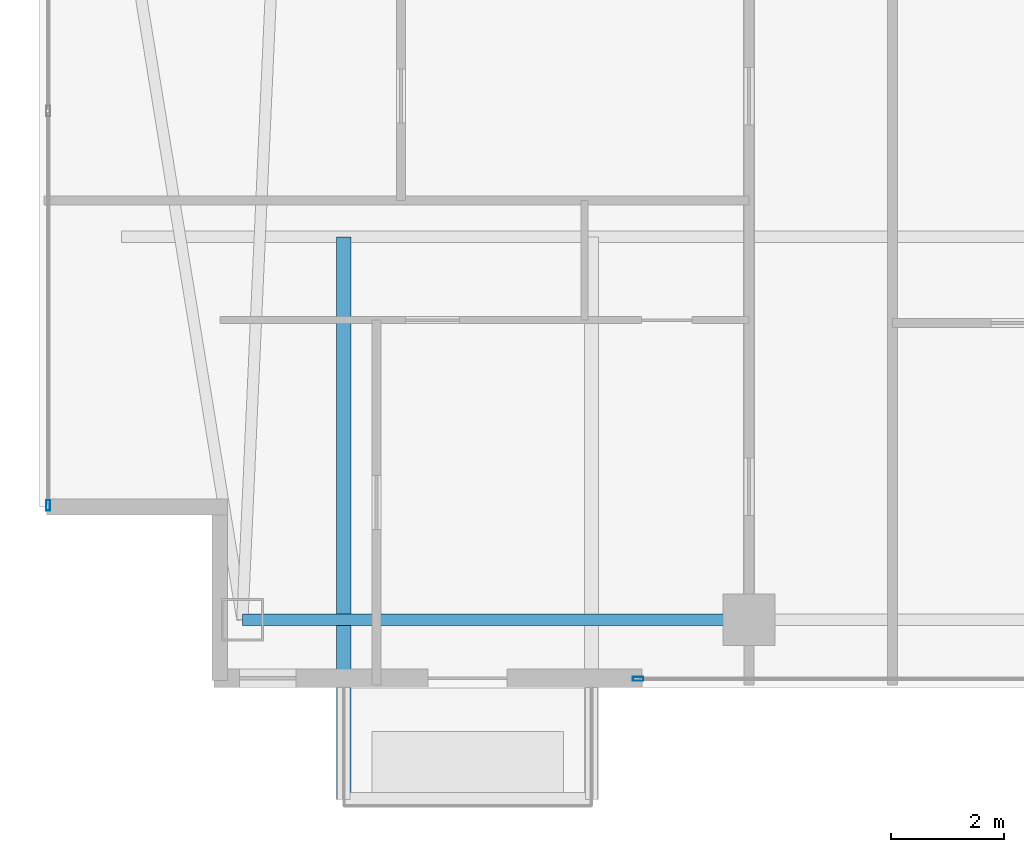
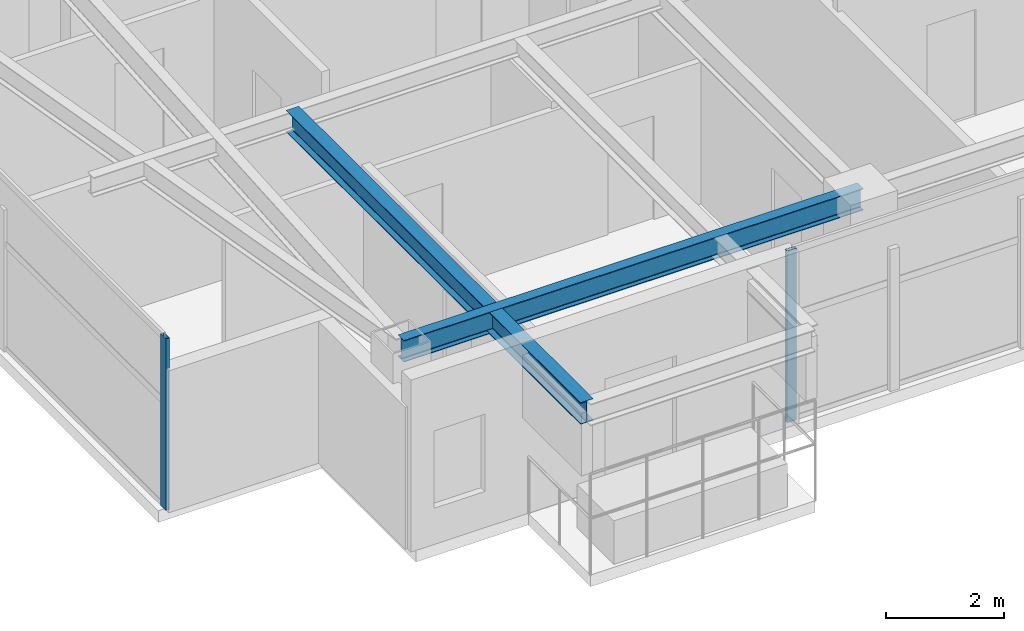
# One storey, part 2 of 29: 2 beams, 2 members, 2 elements without a shape of their own.
"""IFC4 building model written with IfcOpenShell, lengths in metres."""

from ifc_helpers import new_model, si_unit, direction, frame, origin, origin_2d, place, context, subcontext, project, spatial, hollow_rectangle, i_section, extrude, material, layer, layer_set, material_profile, profile_set, type_object, element, aggregate, save


model = new_model("IFC4")

# Units and contexts
model_context = context("Model", 3, precision=1e-05, world=origin(), true_north=direction((0.0, 1.0)))
body_context = subcontext(model_context, "Body", "Model", "MODEL_VIEW")
ifc_project = project(units=[si_unit("LENGTHUNIT", "METRE"), si_unit("AREAUNIT", "SQUARE_METRE"), si_unit("VOLUMEUNIT", "CUBIC_METRE"), si_unit("PLANEANGLEUNIT", "RADIAN"), si_unit("MASSUNIT", "GRAM", prefix="KILO")], contexts=[model_context])

# Site, building, storey
site_placement = place(None, origin())
site = spatial("IfcSite", under=ifc_project, at=site_placement, CompositionType="ELEMENT")
building_placement = place(site_placement, origin())
building = spatial("IfcBuilding", under=site, at=building_placement, Name="Calvorn Quay Hotel", CompositionType="ELEMENT")
storey_placement = place(building_placement, frame((0.0, 0.0, 211.0)))
storey = spatial("IfcBuildingStorey", under=building, at=storey_placement, Name="L52", CompositionType="ELEMENT", Elevation=211.0)

# Beams
ifc_material_1 = material(Name="Steel Q355B", Category="steel")
ifc_material_profile_1 = material_profile(ifc_material_1, i_section(OverallWidth=0.25, OverallDepth=0.449951171875, WebThickness=0.011962890625, FlangeThickness=0.01611328125, FilletRadius=0.01611328125, at=origin_2d()), Name="HN450x250x12x16")
ifc_profile_set_1 = profile_set([ifc_material_profile_1], Name="Steel Q355B")
beam_type_1 = type_object("IfcBeamType", Name="BM-CANT-BALC", PredefinedType="BEAM", material=ifc_profile_set_1)
beam_1_placement = place(storey_placement, frame((5.39990234375, 10.39990234375, 3.31494140625), z_axis=(0.0, -1.0, 0.0), x_axis=(1.0, 0.0, 0.0)))
element("IfcBeam", 1, at=beam_1_placement, inside=storey, type_object=beam_type_1, Name="Cantilever Balcony Beam BCB-L53-2A", PredefinedType="BEAM", context=body_context, shape_type="SweptSolid", body=[
    extrude(i_section(OverallWidth=0.25, OverallDepth=0.449951171875, WebThickness=0.011962890625, FlangeThickness=0.01611328125, FilletRadius=0.01611328125, at=origin_2d()), origin(), (0.0, 0.0, 1.0), 9.989990234375),
])
ifc_material_2 = material(Name="Steel Q355B", Category="steel")
ifc_material_profile_2 = material_profile(ifc_material_2, i_section(OverallWidth=0.199951171875, OverallDepth=0.449951171875, WebThickness=0.009033203125, FlangeThickness=0.013916015625, FilletRadius=0.01611328125, at=origin_2d()), Name="HN450x200x9x14")
ifc_profile_set_2 = profile_set([ifc_material_profile_2], Name="Steel Q355B")
beam_type_2 = type_object("IfcBeamType", Name="BM-SPANDREL-Z3", PredefinedType="SPANDREL", material=ifc_profile_set_2)
beam_2_placement = place(storey_placement, frame((3.60009765625, 3.60009765625, 3.31494140625), z_axis=(1.0, 0.0, 0.0), x_axis=(0.0, 1.0, 0.0)))
element("IfcBeam", 2, at=beam_2_placement, inside=storey, type_object=beam_type_2, Name="Beam BSP-L52-S1", PredefinedType="SPANDREL", context=body_context, shape_type="SweptSolid", body=[
    extrude(i_section(OverallWidth=0.199951171875, OverallDepth=0.449951171875, WebThickness=0.009033203125, FlangeThickness=0.013916015625, FilletRadius=0.01611328125, at=origin_2d()), origin(), (0.0, 0.0, 1.0), 9.0),
])

# Curtain wall, member
ifc_material_3 = material(Name="Champagne Bronze Anodised Aluminium and Low-E Glass", Category="aluminium")
ifc_layer = layer(ifc_material_3, 0.219970703125)
ifc_layer_set = layer_set([ifc_layer], Name="CW-SYS-Z3")
curtain_wall_type = type_object("IfcCurtainWallType", Name="CW-SYS-Z3", PredefinedType="NOTDEFINED", material=ifc_layer_set)
curtain_wall_1_placement = place(storey_placement, origin())
curtain_wall_1 = element("IfcCurtainWall", 3, at=curtain_wall_1_placement, inside=storey, type_object=curtain_wall_type, Name="Tower West Curtain Wall (L52)", PredefinedType="NOTDEFINED")
ifc_material_4 = material(Name="Champagne Bronze Anodised Aluminium 6063-T6", Category="aluminium")
ifc_material_profile_3 = material_profile(ifc_material_4, hollow_rectangle(XDim=0.068115234375, YDim=0.18505859375, WallThickness=0.00390625, at=origin_2d()), Name="ALU-M185x68x4")
ifc_profile_set_3 = profile_set([ifc_material_profile_3], Name="Champagne Bronze Anodised Aluminium 6063-T6")
member_type = type_object("IfcMemberType", Name="CW-SYS-Z3-MUL", PredefinedType="MULLION", material=ifc_profile_set_3)
member_1_placement = place(storey_placement, frame((0.14990234375, 5.6298828125, 0.0), z_axis=(0.0, 0.0, 1.0), x_axis=(-1.0, 0.0, 0.0)))
member_1 = element("IfcMember", 4, at=member_1_placement, type_object=member_type, Name="CW-L52-W mullion 1", PredefinedType="MULLION", context=body_context, shape_type="SweptSolid", body=[
    extrude(hollow_rectangle(XDim=0.068115234375, YDim=0.18505859375, WallThickness=0.00390625, at=origin_2d()), origin(), (0.0, 0.0, 1.0), 3.56005859375),
])
aggregate(curtain_wall_1, [member_1])

curtain_wall_2_placement = place(storey_placement, origin())
curtain_wall_2 = element("IfcCurtainWall", 5, at=curtain_wall_2_placement, inside=storey, type_object=curtain_wall_type, Name="Tower South Waterfront Curtain Wall (L52)", PredefinedType="NOTDEFINED")
member_2_placement = place(storey_placement, frame((10.6298828125, 2.550048828125, 0.0), z_axis=(0.0, 0.0, 1.0), x_axis=(0.0, 1.0, 0.0)))
member_2 = element("IfcMember", 6, at=member_2_placement, type_object=member_type, Name="CW-L52-S mullion 1", PredefinedType="MULLION", context=body_context, shape_type="SweptSolid", body=[
    extrude(hollow_rectangle(XDim=0.068115234375, YDim=0.18505859375, WallThickness=0.00390625, at=origin_2d()), origin(), (0.0, 0.0, 1.0), 3.56005859375),
])
aggregate(curtain_wall_2, [member_2])

save(model, "model.ifc")
